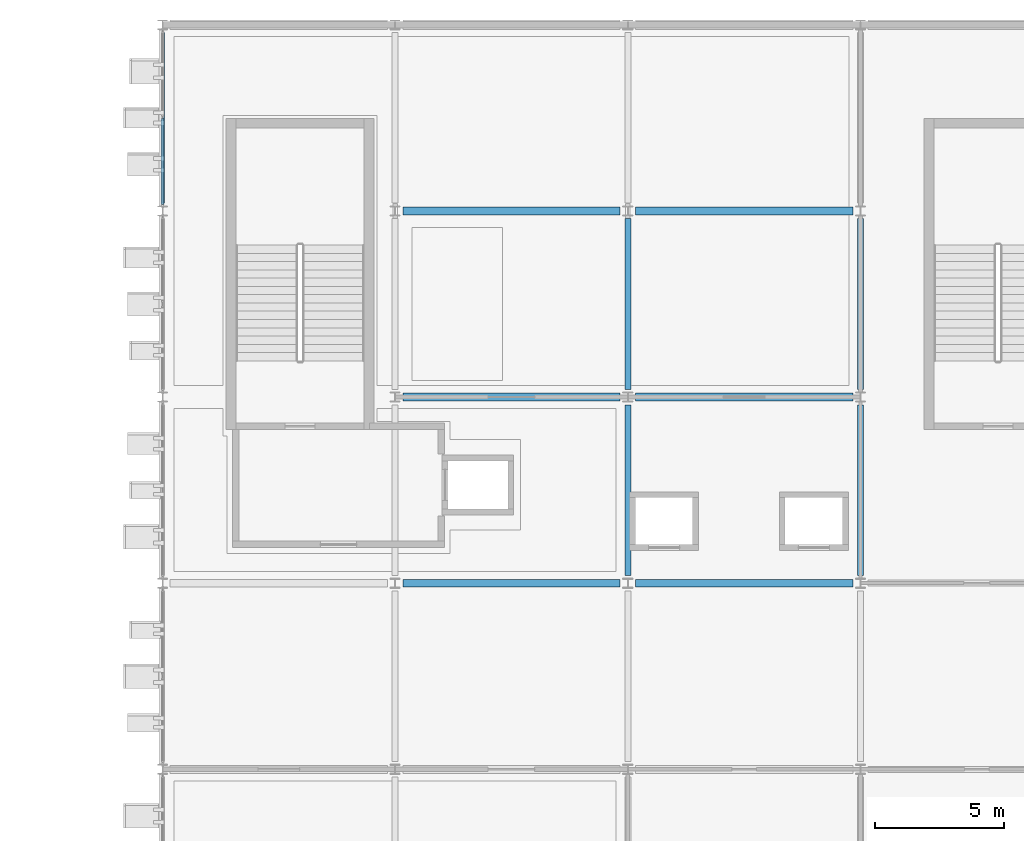
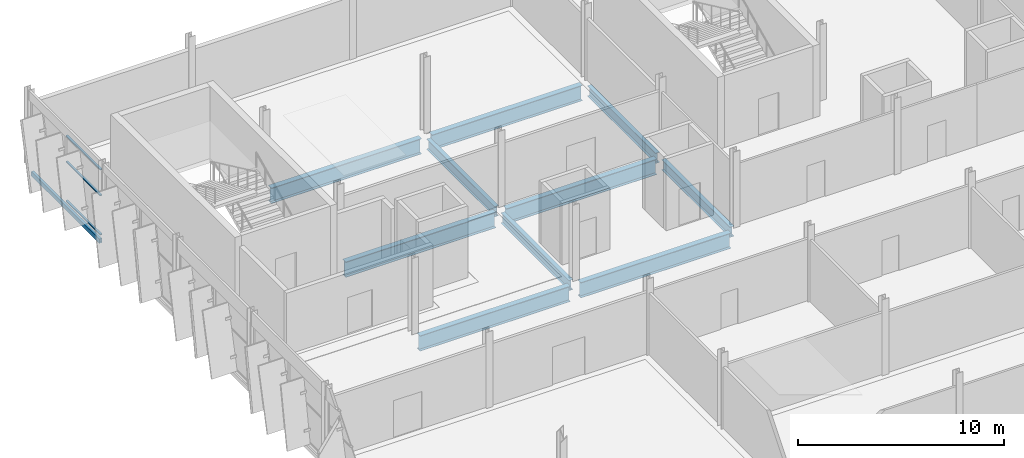
# One storey, part 31 of 78: 11 beams, 3 members, 1 element without a shape of its own.
"""IFC4 building model written with IfcOpenShell, lengths in metres."""

import ifcopenshell
import ifcopenshell.guid

model = None  # the IFC model being written
_history = None  # IfcOwnerHistory: only IFC2X3 demands one
_inside = {}  # id of a spatial element -> (the spatial element, [elements in it])
_under = {}  # id of a project, library or spatial element -> (it, [spatial elements below it])
_declared = {}  # id of a project -> (the project, [libraries it declares])
_typed = {}  # id of a type object -> (the type object, [elements of that type])
_made_of = {}  # id of a material, layer set ... -> (it, [elements and type objects made of it])


def new_model(schema):
    """Start an empty IFC model of exactly this schema.

    Asked for "IFC4X3", IfcOpenShell would pick the latest addendum, in which some entities
    have other attributes; the version numbers below select the first issue.
    IFC2X3 requires an IfcOwnerHistory on every rooted entity: one is made here for all.
    """
    global model, _history
    if schema == "IFC4X3":
        model = ifcopenshell.file(schema_version=(4, 3, 0, 0))
    else:
        model = ifcopenshell.file(schema=schema)
    _inside.clear()
    _under.clear()
    _declared.clear()
    _typed.clear()
    _made_of.clear()
    _history = None
    if model.schema == "IFC2X3":
        org = make("IfcOrganization", Name="unknown")
        user = make(
            "IfcPersonAndOrganization",
            ThePerson=make("IfcPerson", FamilyName="unknown"),
            TheOrganization=org,
        )
        app = make(
            "IfcApplication",
            ApplicationDeveloper=org,
            Version="unknown",
            ApplicationFullName="unknown",
            ApplicationIdentifier="unknown",
        )
        _history = make(
            "IfcOwnerHistory",
            OwningUser=user,
            OwningApplication=app,
            ChangeAction="ADDED",
            CreationDate=0,
        )
    return model


def make(cls, **values):
    """One entity of the class cls with the attributes given. An attribute that is None is left unset."""
    return model.create_entity(
        cls, **{name: value for name, value in values.items() if value is not None}
    )


def rooted(cls, **values):
    """An entity with a GlobalId (a new one), such as an element, a storey or a relation."""
    return make(cls, GlobalId=ifcopenshell.guid.new(), OwnerHistory=_history, **values)


def si_unit(unit_type, name, prefix=None):
    """IfcSIUnit, for example si_unit("LENGTHUNIT", "METRE", prefix="MILLI")."""
    return make("IfcSIUnit", UnitType=unit_type, Prefix=prefix, Name=name)


def assignment(units):
    """IfcUnitAssignment: the units of a project."""
    return None if units is None else make("IfcUnitAssignment", Units=units)


def point(xyz):
    """IfcCartesianPoint."""
    return None if xyz is None else make("IfcCartesianPoint", Coordinates=xyz)


def direction(xyz):
    """IfcDirection."""
    return None if xyz is None else make("IfcDirection", DirectionRatios=xyz)


def frame(location, z_axis=None, x_axis=None):
    """IfcAxis2Placement3D, a coordinate frame: its origin and axes. An axis left out is left unset."""
    return make(
        "IfcAxis2Placement3D",
        Location=point(location),
        Axis=direction(z_axis),
        RefDirection=direction(x_axis),
    )


def frame_2d(location, x_axis=None):
    """IfcAxis2Placement2D, a coordinate frame in the plane: its origin and x axis."""
    return make(
        "IfcAxis2Placement2D", Location=point(location), RefDirection=direction(x_axis)
    )


def origin():
    """The frame at (0, 0, 0) with its axes left unset."""
    return frame((0.0, 0.0, 0.0))


def origin_2d():
    """The frame at (0, 0) in the plane with its x axis left unset."""
    return frame_2d((0.0, 0.0))


def place(relative_to, where):
    """IfcLocalPlacement: puts the frame where relative to a parent placement (None: the world)."""
    return make(
        "IfcLocalPlacement", PlacementRelTo=relative_to, RelativePlacement=where
    )


def context(
    kind, dimensions, precision=None, world=None, true_north=None, identifier=None
):
    """IfcGeometricRepresentationContext, for example the 3D "Model" context."""
    return make(
        "IfcGeometricRepresentationContext",
        ContextIdentifier=identifier,
        ContextType=kind,
        CoordinateSpaceDimension=dimensions,
        Precision=precision,
        WorldCoordinateSystem=world,
        TrueNorth=true_north,
    )


def subcontext(parent, identifier, kind, view, scale=None):
    """IfcGeometricRepresentationSubContext, for example "Body" below "Model"."""
    return make(
        "IfcGeometricRepresentationSubContext",
        ContextIdentifier=identifier,
        ContextType=kind,
        ParentContext=parent,
        TargetScale=scale,
        TargetView=view,
    )


def project(units=None, contexts=None):
    """IfcProject with its units and contexts."""
    return rooted(
        "IfcProject",
        Name="project",
        RepresentationContexts=contexts,
        UnitsInContext=assignment(units),
    )


def spatial(cls, under=None, at=None, **own):
    """A site, building, storey or space (cls), placed at a placement, below another one or the project."""
    s = rooted(cls, ObjectPlacement=at, **own)
    if under is not None:
        _under.setdefault(under.id(), (under, []))[1].append(s)
    return s


def profile(cls, at=None, kind="AREA", **sizes):
    """A parametric profile (cls). Its sizes go by their IFC names, for example OverallWidth=200.0."""
    return make(cls, ProfileType=kind, Position=at, **sizes)


def hollow_rectangle(**sizes):
    """IfcRectangleHollowProfileDef."""
    return profile("IfcRectangleHollowProfileDef", **sizes)


def i_section(**sizes):
    """IfcIShapeProfileDef."""
    return profile("IfcIShapeProfileDef", **sizes)


def extrude(swept, where, along, depth):
    """IfcExtrudedAreaSolid: the profile swept, set in the frame where, extruded along a direction by depth."""
    return make(
        "IfcExtrudedAreaSolid",
        SweptArea=swept,
        Position=where,
        ExtrudedDirection=direction(along),
        Depth=depth,
    )


def shape(context_of_items, identifier, shape_type, items):
    """IfcShapeRepresentation: the items that make up one representation, for example the "Body"."""
    return make(
        "IfcShapeRepresentation",
        ContextOfItems=context_of_items,
        RepresentationIdentifier=identifier,
        RepresentationType=shape_type,
        Items=items,
    )


def material(Name=None, Category=None):
    """IfcMaterial."""
    return make("IfcMaterial", Name=Name, Category=Category)


def layer(
    of_material, thickness, ventilated=None, Name=None, Category=None, Priority=None
):
    """IfcMaterialLayer: one layer of a wall or slab, of a material (None: an air gap)."""
    return make(
        "IfcMaterialLayer",
        Material=of_material,
        LayerThickness=thickness,
        IsVentilated=ventilated,
        Name=Name,
        Category=Category,
        Priority=Priority,
    )


def layer_set(layers, Name=None):
    """IfcMaterialLayerSet."""
    return make("IfcMaterialLayerSet", MaterialLayers=layers, LayerSetName=Name)


def material_profile(
    of_material, cross_section, Name=None, Category=None, Priority=None
):
    """IfcMaterialProfile: a cross section and its material."""
    return make(
        "IfcMaterialProfile",
        Name=Name,
        Material=of_material,
        Profile=cross_section,
        Priority=Priority,
        Category=Category,
    )


def profile_set(profiles, Name=None, composite=None):
    """IfcMaterialProfileSet."""
    return make(
        "IfcMaterialProfileSet",
        Name=Name,
        MaterialProfiles=profiles,
        CompositeProfile=composite,
    )


def made_of(thing, what):
    """Note that an element or type object is made of a material, layer set ...; save() writes the relation."""
    if what is not None:
        _made_of.setdefault(what.id(), (what, []))[1].append(thing)
    return thing


def type_object(cls, material=None, **own):
    """A type object (cls), such as IfcWallType, which elements share."""
    return made_of(rooted(cls, **own), material)


def element(
    cls,
    number,
    at=None,
    inside=None,
    cuts=None,
    type_object=None,
    material=None,
    context=None,
    identifier="Body",
    shape_type=None,
    held_by="IfcProductDefinitionShape",
    body=None,
    shapes=None,
    **own,
):
    """One element of the class cls, such as IfcWall. Its Tag is "e" and its number.

    at: its placement. inside: the storey or other place that contains it. cuts: it is an
    opening in that element (IfcRelVoidsElement). A single representation is given by context,
    identifier, shape_type and body (its items); several are given by shapes. held_by: the class
    of the entity that holds the representations. save() writes the other relations.
    """
    e = rooted(cls, Tag="e%d" % number, ObjectPlacement=at, **own)
    if body is not None:
        shapes = [shape(context, identifier, shape_type, body)]
    if shapes is not None:
        e.Representation = make(held_by, Representations=shapes)
    if inside is not None:
        _inside.setdefault(inside.id(), (inside, []))[1].append(e)
    if cuts is not None:
        rooted(
            "IfcRelVoidsElement", RelatingBuildingElement=cuts, RelatedOpeningElement=e
        )
    if type_object is not None:
        _typed.setdefault(type_object.id(), (type_object, []))[1].append(e)
    return made_of(e, material)


def aggregate(whole, parts):
    """IfcRelAggregates: a whole, such as a stair, and the parts it consists of."""
    return rooted("IfcRelAggregates", RelatingObject=whole, RelatedObjects=parts)


def save(model, path):
    """Write the relations noted so far, then the file.

    IfcRelAggregates (storeys below a building ...), IfcRelContainedInSpatialStructure (elements
    in a storey), IfcRelDefinesByType, IfcRelAssociatesMaterial and IfcRelDeclares: one each for
    every whole, place, type object, material and project.
    """
    for whole, parts in _under.values():
        aggregate(whole, parts)
    for where, things in _inside.values():
        rooted(
            "IfcRelContainedInSpatialStructure",
            RelatedElements=things,
            RelatingStructure=where,
        )
    for kind, things in _typed.values():
        rooted("IfcRelDefinesByType", RelatedObjects=things, RelatingType=kind)
    for what, things in _made_of.values():
        rooted("IfcRelAssociatesMaterial", RelatedObjects=things, RelatingMaterial=what)
    for by, libraries in _declared.values():
        rooted("IfcRelDeclares", RelatingContext=by, RelatedDefinitions=libraries)
    model.write(path)


model = new_model("IFC4")

# Units and contexts
model_context = context("Model", 3, precision=1e-05, world=origin(), true_north=direction((0.0, 1.0)))
body_context = subcontext(model_context, "Body", "Model", "MODEL_VIEW")
ifc_project = project(units=[si_unit("LENGTHUNIT", "METRE"), si_unit("AREAUNIT", "SQUARE_METRE"), si_unit("VOLUMEUNIT", "CUBIC_METRE"), si_unit("PLANEANGLEUNIT", "RADIAN"), si_unit("MASSUNIT", "GRAM", prefix="KILO")], contexts=[model_context])

# Site, building, storey
site_placement = place(None, origin())
site = spatial("IfcSite", under=ifc_project, at=site_placement, CompositionType="ELEMENT")
building_placement = place(site_placement, origin())
building = spatial("IfcBuilding", under=site, at=building_placement, Name="Celestram Park Convention Centre", CompositionType="ELEMENT")
storey_placement = place(building_placement, frame((0.0, 0.0, 19.800048828125)))
storey = spatial("IfcBuildingStorey", under=building, at=storey_placement, Name="L04", CompositionType="ELEMENT", Elevation=19.800048828125)

# Curtain wall, members
ifc_material_1 = material(Name="Anodised Aluminium Alloy 6063-T6", Category="aluminium")
ifc_layer = layer(ifc_material_1, 0.179931640625)
ifc_layer_set = layer_set([ifc_layer], Name="Anodised Aluminium Alloy 6063-T6")
curtain_wall_type = type_object("IfcCurtainWallType", Name="ARC-CW-683X390", PredefinedType="NOTDEFINED", material=ifc_layer_set)
curtain_wall_placement = place(storey_placement, origin())
curtain_wall = element("IfcCurtainWall", 1, at=curtain_wall_placement, inside=storey, type_object=curtain_wall_type, Name="Unitised curtain wall CU-L04-236", PredefinedType="NOTDEFINED")
ifc_material_profile_1 = material_profile(ifc_material_1, hollow_rectangle(XDim=0.1201171875, YDim=0.06005859375, WallThickness=0.0029296875, at=origin_2d()), Name="ALU120X60X3")
ifc_profile_set_1 = profile_set([ifc_material_profile_1], Name="Anodised Aluminium Alloy 6063-T6")
member_type = type_object("IfcMemberType", Name="ARC-CWT-120", PredefinedType="USERDEFINED", material=ifc_profile_set_1)
member_1_placement = place(storey_placement, frame((36.0, 158.6494140625, 0.030029296875), z_axis=(0.0, 1.0, 0.0), x_axis=(-1.0, 0.0, 0.0)))
member_1 = element("IfcMember", 2, at=member_1_placement, type_object=member_type, Name="CW-68X39 transom 1.1", ObjectType="TRANSOM", PredefinedType="USERDEFINED", context=body_context, shape_type="SweptSolid", body=[
    extrude(hollow_rectangle(XDim=0.1201171875, YDim=0.06005859375, WallThickness=0.0029296875, at=origin_2d()), origin(), (0.0, 0.0, 1.0), 3.318115234375),
])
member_2_placement = place(storey_placement, frame((36.0, 158.6494140625, 2.342041015625), z_axis=(0.0, 1.0, 0.0), x_axis=(-1.0, 0.0, 0.0)))
member_2 = element("IfcMember", 3, at=member_2_placement, type_object=member_type, Name="CW-68X39 transom 1.2", ObjectType="TRANSOM", PredefinedType="USERDEFINED", context=body_context, shape_type="SweptSolid", body=[
    extrude(hollow_rectangle(XDim=0.1201171875, YDim=0.06005859375, WallThickness=0.0029296875, at=origin_2d()), origin(), (0.0, 0.0, 1.0), 3.318115234375),
])
member_3_placement = place(storey_placement, frame((36.0, 158.6494140625, 3.8740234375), z_axis=(0.0, 1.0, 0.0), x_axis=(-1.0, 0.0, 0.0)))
member_3 = element("IfcMember", 4, at=member_3_placement, type_object=member_type, Name="CW-68X39 transom 1.3", ObjectType="TRANSOM", PredefinedType="USERDEFINED", context=body_context, shape_type="SweptSolid", body=[
    extrude(hollow_rectangle(XDim=0.1201171875, YDim=0.06005859375, WallThickness=0.0029296875, at=origin_2d()), origin(), (0.0, 0.0, 1.0), 3.318115234375),
])
aggregate(curtain_wall, [member_1, member_2, member_3])

# Beams
ifc_material_2 = material(Name="Steel ASTM A992 Grade 50", Category="steel")
ifc_material_profile_2 = material_profile(ifc_material_2, i_section(OverallWidth=0.22900390625, OverallDepth=0.612060546875, WebThickness=0.011962890625, FlangeThickness=0.01953125, at=origin_2d()), Name="W24X84")
ifc_profile_set_2 = profile_set([ifc_material_profile_2], Name="Steel ASTM A992 Grade 50")
beam_type_1 = type_object("IfcBeamType", Name="STR-BM-W24X84", PredefinedType="BEAM", material=ifc_profile_set_2)
for number, where, z_axis, x_axis, name in (
    (5, (54.0, 144.298095703125, -0.55615234375), (0.0, 1.0, 0.0), (-1.0, 0.0, 0.0), "Primary Y-girder BG-L04-0039"),
    (6, (54.0, 151.498046875, -0.55615234375), (0.0, 1.0, 0.0), (-1.0, 0.0, 0.0), "Primary Y-girder BG-L04-0041"),
    (7, (63.0, 144.298095703125, -0.55615234375), (0.0, 1.0, 0.0), (-1.0, 0.0, 0.0), "Primary Y-girder BG-L04-0053"),
    (8, (63.0, 151.498046875, -0.55615234375), (0.0, 1.0, 0.0), (-1.0, 0.0, 0.0), "Primary Y-girder BG-L04-0054"),
):
    element("IfcBeam", number, at=place(storey_placement, frame(where, z_axis=z_axis, x_axis=x_axis)), inside=storey, type_object=beam_type_1, Name=name, PredefinedType="BEAM", context=body_context, shape_type="SweptSolid", body=[
        extrude(i_section(OverallWidth=0.22900390625, OverallDepth=0.612060546875, WebThickness=0.011962890625, FlangeThickness=0.01953125, at=origin_2d()), origin(), (0.0, 0.0, 1.0), 6.60400390625),
    ])
ifc_material_profile_3 = material_profile(ifc_material_2, i_section(OverallWidth=0.304931640625, OverallDepth=0.9140625, WebThickness=0.0166015625, FlangeThickness=0.02587890625, at=origin_2d()), Name="W36X160")
ifc_profile_set_3 = profile_set([ifc_material_profile_3], Name="Steel ASTM A992 Grade 50")
beam_type_2 = type_object("IfcBeamType", Name="STR-BM-W36X160", PredefinedType="BEAM", material=ifc_profile_set_3)
for number, where, z_axis, x_axis, name in (
    (9, (45.298095703125, 144.0, -0.70703125), (1.0, 0.0, 0.0), (0.0, 1.0, 0.0), "Primary X-girder BG-L04-0024"),
    (10, (45.298095703125, 151.199951171875, -0.70703125), (1.0, 0.0, 0.0), (0.0, 1.0, 0.0), "Primary X-girder BG-L04-0026"),
    (11, (45.298095703125, 158.39990234375, -0.70703125), (1.0, 0.0, 0.0), (0.0, 1.0, 0.0), "Primary X-girder BG-L04-0028"),
    (12, (54.298095703125, 144.0, -0.70703125), (1.0, 0.0, 0.0), (0.0, 1.0, 0.0), "Primary X-girder BG-L04-0038"),
    (13, (54.298095703125, 151.199951171875, -0.70703125), (1.0, 0.0, 0.0), (0.0, 1.0, 0.0), "Primary X-girder BG-L04-0040"),
    (14, (54.298095703125, 158.39990234375, -0.70703125), (1.0, 0.0, 0.0), (0.0, 1.0, 0.0), "Primary X-girder BG-L04-0042"),
):
    element("IfcBeam", number, at=place(storey_placement, frame(where, z_axis=z_axis, x_axis=x_axis)), inside=storey, type_object=beam_type_2, Name=name, PredefinedType="BEAM", context=body_context, shape_type="SweptSolid", body=[
        extrude(i_section(OverallWidth=0.304931640625, OverallDepth=0.9140625, WebThickness=0.0166015625, FlangeThickness=0.02587890625, at=origin_2d()), origin(), (0.0, 0.0, 1.0), 8.40380859375),
    ])
ifc_material_3 = material(Name="Steel ASTM A500 Grade C", Category="steel")
ifc_material_profile_4 = material_profile(ifc_material_3, hollow_rectangle(XDim=0.14990234375, YDim=0.25, WallThickness=0.010009765625, at=origin_2d()), Name="HSS250X150X10")
ifc_profile_set_4 = profile_set([ifc_material_profile_4], Name="Steel ASTM A500 Grade C")
beam_type_3 = type_object("IfcBeamType", Name="STR-SPN-HSS250X150", PredefinedType="SPANDREL", material=ifc_profile_set_4)
beam_placement = place(storey_placement, frame((36.0, 158.697998046875, -0.375), z_axis=(0.0, 1.0, 0.0), x_axis=(-1.0, 0.0, 0.0)))
element("IfcBeam", 15, at=beam_placement, inside=storey, type_object=beam_type_3, Name="Primary Y-girder BG-L04-0013", PredefinedType="SPANDREL", context=body_context, shape_type="SweptSolid", body=[
    extrude(hollow_rectangle(XDim=0.14990234375, YDim=0.25, WallThickness=0.010009765625, at=origin_2d()), origin(), (0.0, 0.0, 1.0), 6.60400390625),
])

save(model, "model.ifc")
